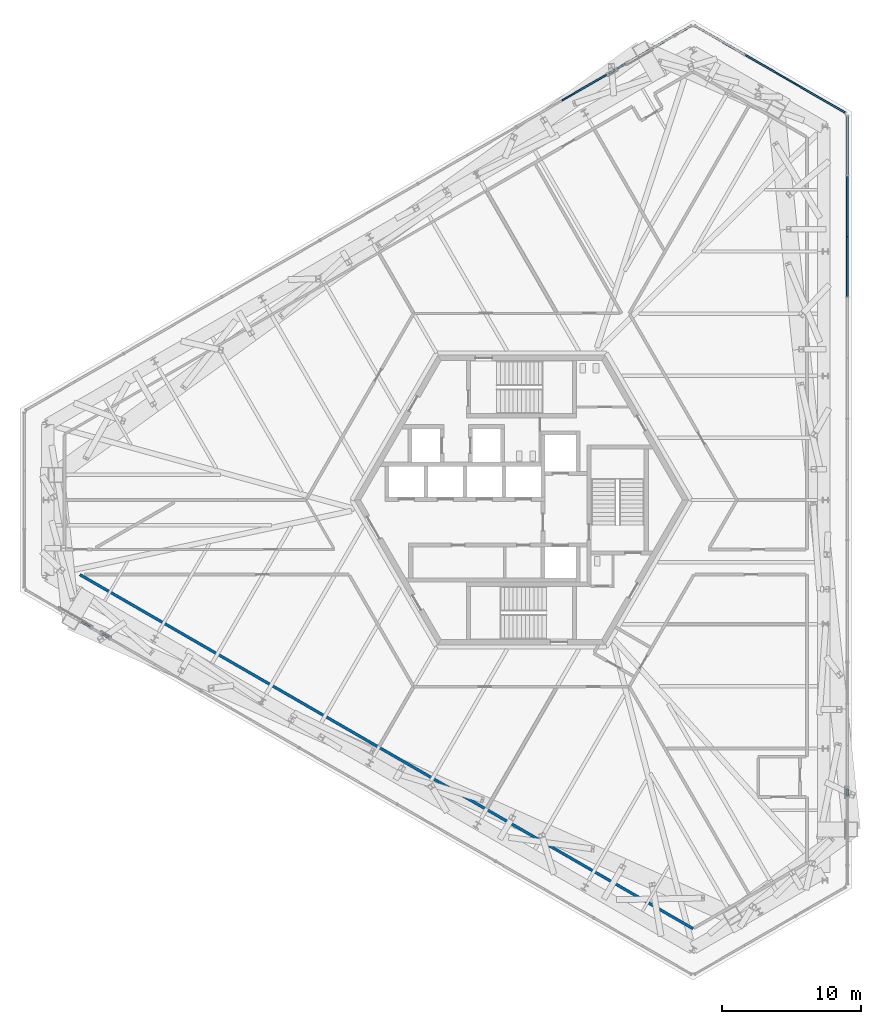
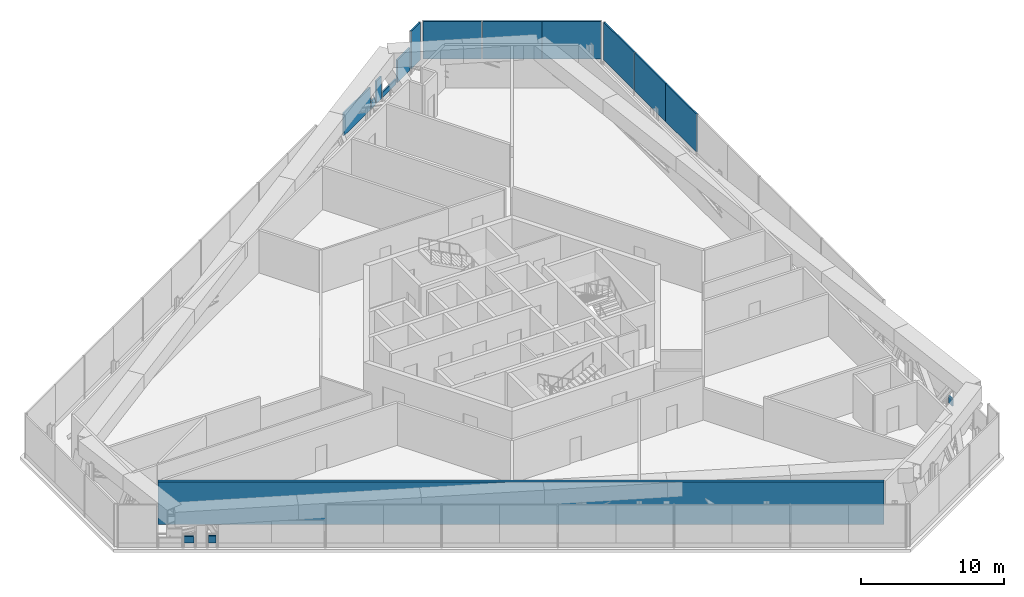
# One storey, part 13 of 23: 15 plates, 1 wall, 11 elements without a shape of their own.
"""IFC4 building model written with IfcOpenShell, lengths in metres."""

from ifc_helpers import new_model, si_unit, direction, frame, frame_2d, origin, origin_2d, place, context, subcontext, project, spatial, rectangle, extrude, source, transform, mapped, material, layer, layer_set, type_object, element, aggregate, save


model = new_model("IFC4")

# Units and contexts
model_context = context("Model", 3, precision=1e-05, world=origin(), true_north=direction((0.0, 1.0)))
body_context = subcontext(model_context, "Body", "Model", "MODEL_VIEW")
ifc_project = project(units=[si_unit("LENGTHUNIT", "METRE"), si_unit("AREAUNIT", "SQUARE_METRE"), si_unit("VOLUMEUNIT", "CUBIC_METRE"), si_unit("PLANEANGLEUNIT", "RADIAN"), si_unit("MASSUNIT", "GRAM", prefix="KILO")], contexts=[model_context])

# Site, building, storey
site_placement = place(None, origin())
site = spatial("IfcSite", under=ifc_project, at=site_placement, CompositionType="ELEMENT")
building_placement = place(site_placement, origin())
building = spatial("IfcBuilding", under=site, at=building_placement, Name="Triune Harvest Tower", CompositionType="ELEMENT")
storey_placement = place(building_placement, frame((0.0, 0.0, 54.699951171875)))
storey = spatial("IfcBuildingStorey", under=building, at=storey_placement, Name="L12", CompositionType="ELEMENT", Elevation=54.699951171875)

# Curtain wall, plate
ifc_material_1 = material(Name="Aluminium bronze anodised", Category="aluminium")
curtain_wall_type = type_object("IfcCurtainWallType", Name="CW-5 Plant louvre wall", PredefinedType="NOTDEFINED", material=ifc_material_1)
curtain_wall_1_placement = place(storey_placement, origin())
curtain_wall_1 = element("IfcCurtainWall", 1, at=curtain_wall_1_placement, inside=storey, type_object=curtain_wall_type, Name="CW-5 B1-F1 L12 run 601")
ifc_material_2 = material(Name="Aluminium bronze anodised", Category="aluminium")
ifc_layer_1 = layer(ifc_material_2, 0.1201171875)
ifc_layer_set_1 = layer_set([ifc_layer_1], Name="Aluminium bronze anodised")
plate_type = type_object("IfcPlateType", Name="GL-5 panel 120", PredefinedType="CURTAIN_PANEL", material=ifc_layer_set_1)
plate_1_placement = place(storey_placement, frame((23.371337890625, 25.4169921875, 0.39990234375), z_axis=(0.0, 0.0, 1.0), x_axis=(0.0, 1.0, 0.0)))
plate_1 = element("IfcPlate", 2, at=plate_1_placement, type_object=plate_type, Name="CW-5 panel B1-F1 601.9", PredefinedType="CURTAIN_PANEL", context=body_context, shape_type="SweptSolid", body=[
    extrude(rectangle(XDim=4.239501953125, YDim=0.1201171875, at=origin_2d()), origin(), (0.0, 0.0, 1.0), 3.239990234375),
])

curtain_wall_2_placement = place(storey_placement, origin())
curtain_wall_2 = element("IfcCurtainWall", 3, at=curtain_wall_2_placement, inside=storey, type_object=curtain_wall_type, Name="CW-5 B1-F3 L12 run 201")
plate_2_placement = place(storey_placement, frame((8.4189453125, 31.84765625, 0.400146484375), z_axis=(0.0, 0.0, 1.0), x_axis=(-0.866031085142, -0.499990159471, 0.0)))
plate_2 = element("IfcPlate", 4, at=plate_2_placement, type_object=plate_type, Name="CW-5 panel B1-F3 201.1", PredefinedType="CURTAIN_PANEL", context=body_context, shape_type="SweptSolid", body=[
    extrude(rectangle(XDim=1.909423828125, YDim=0.1201171875, at=origin_2d()), origin(), (0.0, 0.0, 1.0), 0.43896484375),
])
aggregate(curtain_wall_2, [plate_2])

curtain_wall_3_placement = place(storey_placement, origin())
curtain_wall_3 = element("IfcCurtainWall", 5, at=curtain_wall_3_placement, inside=storey, type_object=curtain_wall_type, Name="CW-5 B1-F5 L12 run 201")
plate_3_placement = place(storey_placement, frame((-31.261962890625, -8.937744140625, 0.39990234375), z_axis=(0.0, 0.0, 1.0), x_axis=(0.86597384129, -0.500089298227, 0.0)))
plate_3 = element("IfcPlate", 6, at=plate_3_placement, type_object=plate_type, Name="CW-5 panel B1-F5 201.1", PredefinedType="CURTAIN_PANEL", context=body_context, shape_type="SweptSolid", body=[
    extrude(rectangle(XDim=0.689453125, YDim=0.1201171875, at=origin_2d()), origin(), (0.0, 0.0, 1.0), 0.57568359375),
])
aggregate(curtain_wall_3, [plate_3])

curtain_wall_4_placement = place(storey_placement, origin())
curtain_wall_4 = element("IfcCurtainWall", 7, at=curtain_wall_4_placement, inside=storey, type_object=curtain_wall_type, Name="CW-5 B1-F3 L12 run 1")
shared_shape_1 = source(origin(), body_context, "Body", "SweptSolid", [
    extrude(rectangle(XDim=1.251953125, YDim=0.1201171875, at=origin_2d()), origin(), (0.0, 0.0, 1.0), 3.239990234375),
])
plate_4_placement = place(storey_placement, frame((11.61962890625, 33.695556640625, 0.39990234375), z_axis=(0.0, 0.0, 1.0), x_axis=(-0.866038173806, -0.499977881022, 0.0)))
plate_4 = element("IfcPlate", 8, at=plate_4_placement, type_object=plate_type, Name="CW-5 panel B1-F3 1.1", PredefinedType="CURTAIN_PANEL", context=body_context, shape_type="MappedRepresentation", body=[
    mapped(shared_shape_1, transform((0.0, 0.0, 0.0), scale=1.0)),
])
aggregate(curtain_wall_4, [plate_4])

curtain_wall_5_placement = place(storey_placement, origin())
curtain_wall_5 = element("IfcCurtainWall", 9, at=curtain_wall_5_placement, inside=storey, type_object=curtain_wall_type, Name="CW-5 B1-F3 L12 run 101")
shared_shape_2 = source(origin(), body_context, "Body", "SweptSolid", [
    extrude(rectangle(XDim=1.795166015625, YDim=0.1201171875, at=origin_2d()), origin(), (0.0, 0.0, 1.0), 1.929931640625),
])
plate_5_placement = place(storey_placement, frame((10.16162109375, 32.853759765625, 0.39990234375), z_axis=(0.0, 0.0, 1.0), x_axis=(-0.866018643434, -0.500011709087, 0.0)))
plate_5 = element("IfcPlate", 10, at=plate_5_placement, type_object=plate_type, Name="CW-5 panel B1-F3 101.1", PredefinedType="CURTAIN_PANEL", context=body_context, shape_type="MappedRepresentation", body=[
    mapped(shared_shape_2, transform((0.0, 0.0, 0.0), scale=1.0)),
])
aggregate(curtain_wall_5, [plate_5])

curtain_wall_6_placement = place(storey_placement, origin())
curtain_wall_6 = element("IfcCurtainWall", 11, at=curtain_wall_6_placement, inside=storey, type_object=curtain_wall_type, Name="CW-5 B1-F1 L12 run 401")
shared_shape_3 = source(origin(), body_context, "Body", "SweptSolid", [
    extrude(rectangle(XDim=0.53759765625, YDim=0.1201171875, at=origin_2d()), origin(), (0.0, 0.0, 1.0), 0.602783203125),
])
plate_6_placement = place(storey_placement, frame((23.371337890625, -20.98193359375, 0.39990234375), z_axis=(0.0, 0.0, 1.0), x_axis=(0.0, 1.0, 0.0)))
plate_6 = element("IfcPlate", 12, at=plate_6_placement, type_object=plate_type, Name="CW-5 panel B1-F1 401.1", PredefinedType="CURTAIN_PANEL", context=body_context, shape_type="MappedRepresentation", body=[
    mapped(shared_shape_3, transform((0.0, 0.0, 0.0), scale=1.0)),
])
aggregate(curtain_wall_6, [plate_6])

curtain_wall_7_placement = place(storey_placement, origin())
curtain_wall_7 = element("IfcCurtainWall", 13, at=curtain_wall_7_placement, inside=storey, type_object=curtain_wall_type, Name="CW-5 B1-F3 L12 run 401")
plate_7_placement = place(storey_placement, frame((6.485107421875, 30.731201171875, 0.39990234375), z_axis=(0.0, 0.0, 1.0), x_axis=(-0.865985080503, -0.500069835469, 0.0)))
plate_7 = element("IfcPlate", 14, at=plate_7_placement, type_object=plate_type, Name="CW-5 panel B1-F3 401.1", PredefinedType="CURTAIN_PANEL", context=body_context, shape_type="MappedRepresentation", body=[
    mapped(shared_shape_3, transform((0.0, 0.0, 0.0), scale=1.0)),
])
aggregate(curtain_wall_7, [plate_7])

curtain_wall_8_placement = place(storey_placement, origin())
curtain_wall_8 = element("IfcCurtainWall", 15, at=curtain_wall_8_placement, inside=storey, type_object=curtain_wall_type, Name="CW-5 B1-F5 L12 run 401")
plate_8_placement = place(storey_placement, frame((-29.8564453125, -9.749267578125, 0.39990234375), z_axis=(0.0, 0.0, 1.0), x_axis=(0.866047146714, -0.499962338251, 0.0)))
plate_8 = element("IfcPlate", 16, at=plate_8_placement, type_object=plate_type, Name="CW-5 panel B1-F5 401.1", PredefinedType="CURTAIN_PANEL", context=body_context, shape_type="MappedRepresentation", body=[
    mapped(shared_shape_3, transform((0.0, 0.0, 0.0), scale=1.0)),
])
aggregate(curtain_wall_8, [plate_8])

# Plate
shared_shape_4 = source(origin(), body_context, "Body", "SweptSolid", [
    extrude(rectangle(XDim=4.319580078125, YDim=0.1201171875, at=origin_2d()), origin(), (0.0, 0.0, 1.0), 3.239990234375),
])
plate_9_placement = place(storey_placement, frame((23.371337890625, 16.738037109375, 0.39990234375), z_axis=(0.0, 0.0, 1.0), x_axis=(0.0, 1.0, 0.0)))
plate_9 = element("IfcPlate", 17, at=plate_9_placement, type_object=plate_type, Name="CW-5 panel B1-F1 601.7", PredefinedType="CURTAIN_PANEL", context=body_context, shape_type="MappedRepresentation", body=[
    mapped(shared_shape_4, transform((0.0, 0.0, 0.0), scale=1.0)),
])

plate_10_placement = place(storey_placement, frame((23.371337890625, 21.0576171875, 0.39990234375), z_axis=(0.0, 0.0, 1.0), x_axis=(0.0, 1.0, 0.0)))
plate_10 = element("IfcPlate", 18, at=plate_10_placement, type_object=plate_type, Name="CW-5 panel B1-F1 601.8", PredefinedType="CURTAIN_PANEL", context=body_context, shape_type="MappedRepresentation", body=[
    mapped(shared_shape_4, transform((0.0, 0.0, 0.0), scale=1.0)),
])

aggregate(curtain_wall_1, [plate_9, plate_10, plate_1])

# Curtain wall, plates
curtain_wall_9_placement = place(storey_placement, origin())
curtain_wall_9 = element("IfcCurtainWall", 19, at=curtain_wall_9_placement, inside=storey, type_object=curtain_wall_type, Name="CW-5 B1-F2 L12 run 1")
shared_shape_5 = source(origin(), body_context, "Body", "SweptSolid", [
    extrude(rectangle(XDim=4.117919921875, YDim=0.1201171875, at=origin_2d()), origin(), (0.0, 0.0, 1.0), 3.239990234375),
])
plate_11_placement = place(storey_placement, frame((21.441162109375, 28.8212890625, 0.39990234375), z_axis=(0.0, 0.0, 1.0), x_axis=(-0.866026145592, 0.499998715149, 0.0)))
plate_11 = element("IfcPlate", 20, at=plate_11_placement, type_object=plate_type, Name="CW-5 panel B1-F2 1.1", PredefinedType="CURTAIN_PANEL", context=body_context, shape_type="MappedRepresentation", body=[
    mapped(shared_shape_5, transform((0.0, 0.0, 0.0), scale=1.0)),
])
shared_shape_6 = source(origin(), body_context, "Body", "SweptSolid", [
    extrude(rectangle(XDim=4.157958984375, YDim=0.1201171875, at=origin_2d()), origin(), (0.0, 0.0, 1.0), 3.239990234375),
])
plate_12_placement = place(storey_placement, frame((17.857666015625, 30.89013671875, 0.39990234375), z_axis=(0.0, 0.0, 1.0), x_axis=(-0.866026145592, 0.499998715149, 0.0)))
plate_12 = element("IfcPlate", 21, at=plate_12_placement, type_object=plate_type, Name="CW-5 panel B1-F2 1.2", PredefinedType="CURTAIN_PANEL", context=body_context, shape_type="MappedRepresentation", body=[
    mapped(shared_shape_6, transform((0.0, 0.0, 0.0), scale=1.0)),
])
shared_shape_7 = source(origin(), body_context, "Body", "SweptSolid", [
    extrude(rectangle(XDim=4.077880859375, YDim=0.1201171875, at=origin_2d()), origin(), (0.0, 0.0, 1.0), 3.239990234375),
])
plate_13_placement = place(storey_placement, frame((14.22216796875, 32.989013671875, 0.39990234375), z_axis=(0.0, 0.0, 1.0), x_axis=(-0.866026145592, 0.499998715149, 0.0)))
plate_13 = element("IfcPlate", 22, at=plate_13_placement, type_object=plate_type, Name="CW-5 panel B1-F2 1.3", PredefinedType="CURTAIN_PANEL", context=body_context, shape_type="MappedRepresentation", body=[
    mapped(shared_shape_7, transform((0.0, 0.0, 0.0), scale=1.0)),
])
aggregate(curtain_wall_9, [plate_11, plate_12, plate_13])

# Curtain wall, plate
curtain_wall_10_placement = place(storey_placement, origin())
curtain_wall_10 = element("IfcCurtainWall", 23, at=curtain_wall_10_placement, inside=storey, type_object=curtain_wall_type, Name="CW-5 B1-F3 L12 run 301")
shared_shape_8 = source(origin(), body_context, "Body", "SweptSolid", [
    extrude(rectangle(XDim=0.689453125, YDim=0.1201171875, at=origin_2d()), origin(), (0.0, 0.0, 1.0), 1.929931640625),
])
plate_14_placement = place(storey_placement, frame((7.155029296875, 31.117919921875, 0.39990234375), z_axis=(0.0, 0.0, 1.0), x_axis=(-0.866054249834, -0.499950033847, 0.0)))
plate_14 = element("IfcPlate", 24, at=plate_14_placement, type_object=plate_type, Name="CW-5 panel B1-F3 301.1", PredefinedType="CURTAIN_PANEL", context=body_context, shape_type="MappedRepresentation", body=[
    mapped(shared_shape_8, transform((0.0, 0.0, 0.0), scale=1.0)),
])
aggregate(curtain_wall_10, [plate_14])

curtain_wall_11_placement = place(storey_placement, origin())
curtain_wall_11 = element("IfcCurtainWall", 25, at=curtain_wall_11_placement, inside=storey, type_object=curtain_wall_type, Name="CW-5 B1-F3 L12 run 501")
shared_shape_9 = source(origin(), body_context, "Body", "SweptSolid", [
    extrude(rectangle(XDim=3.70068359375, YDim=0.1201171875, at=origin_2d()), origin(), (0.0, 0.0, 1.0), 1.929931640625),
])
plate_15_placement = place(storey_placement, frame((4.51123046875, 29.591552734375, 0.39990234375), z_axis=(0.0, 0.0, 1.0), x_axis=(-0.866024157573, -0.500002158495, 0.0)))
plate_15 = element("IfcPlate", 26, at=plate_15_placement, type_object=plate_type, Name="CW-5 panel B1-F3 501.1", PredefinedType="CURTAIN_PANEL", context=body_context, shape_type="MappedRepresentation", body=[
    mapped(shared_shape_9, transform((0.0, 0.0, 0.0), scale=1.0)),
])
aggregate(curtain_wall_11, [plate_15])

# Wall
ifc_material_3 = material(Name="Gypsum board on steel studs", Category="steel")
ifc_layer_2 = layer(ifc_material_3, 0.199951171875)
ifc_layer_set_2 = layer_set([ifc_layer_2], Name="Gypsum board on steel studs")
wall_type = type_object("IfcWallType", Name="Fire Wall 200 mm", PredefinedType="PARTITIONING", material=ifc_layer_set_2)
wall_placement = place(storey_placement, frame((-31.6875, -5.35498046875, 0.0), z_axis=(0.0, 0.0, 1.0), x_axis=(0.866023930524, -0.500002551753, 0.0)))
element("IfcWall", 27, at=wall_placement, inside=storey, type_object=wall_type, Name="Partition L12 011", PredefinedType="PARTITIONING", context=body_context, shape_type="SweptSolid", body=[
    extrude(rectangle(XDim=50.802978515625, YDim=0.199951171875, at=frame_2d((25.4013671875, 0.0))), origin(), (0.0, 0.0, 1.0), 3.64013671875),
])

save(model, "model.ifc")
